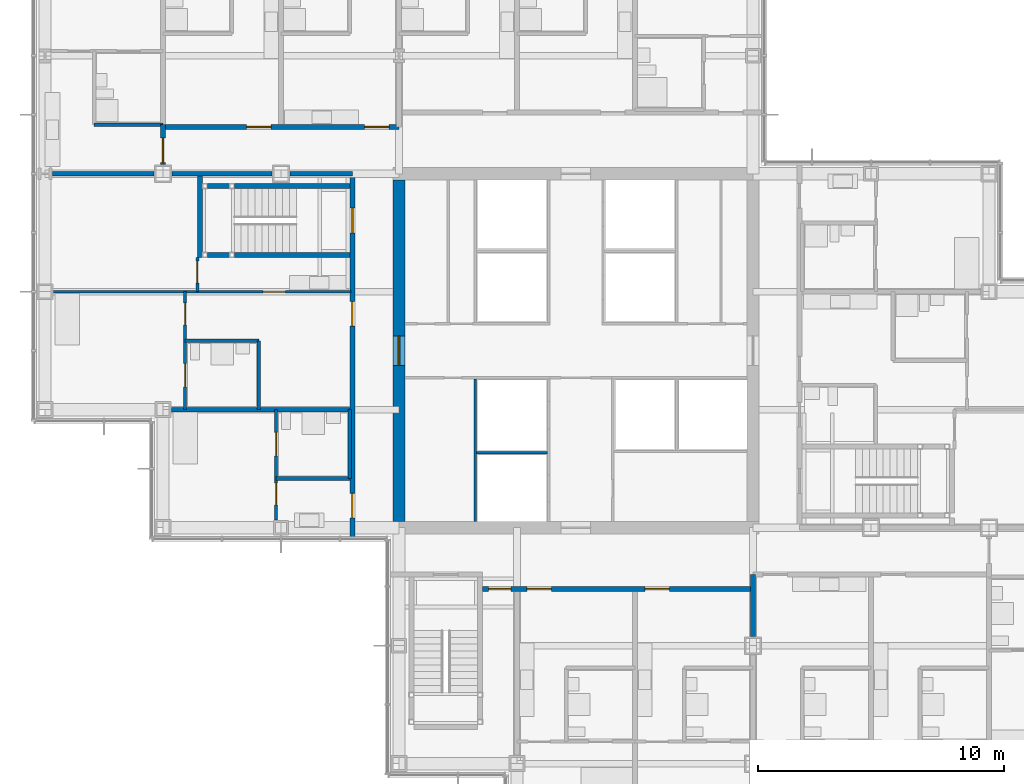
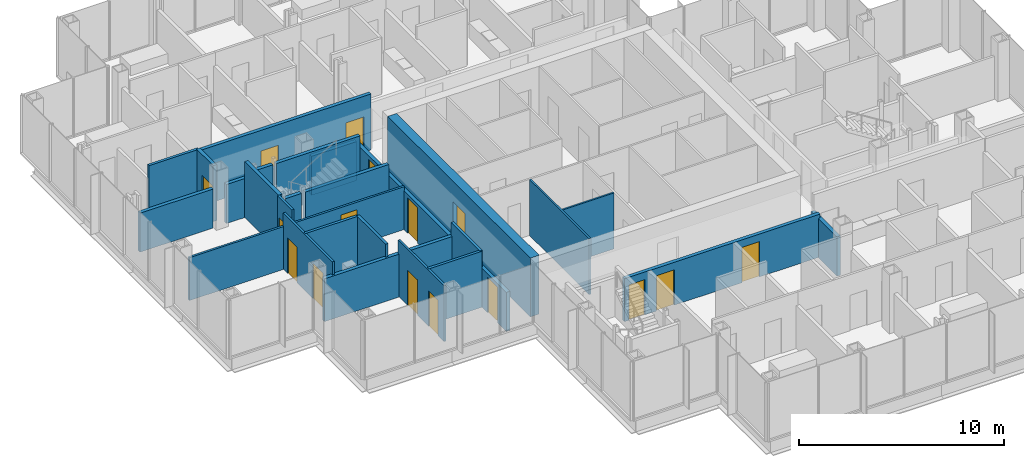
# One storey, part 13 of 19: 27 walls, 16 doors, 16 openings.
"""IFC4 building model written with IfcOpenShell, lengths in metres."""

from ifc_helpers import new_model, si_unit, direction, frame, frame_2d, origin, place, context, subcontext, project, spatial, rectangle, extrude, material, layer, layer_set, type_object, element, fill, save


model = new_model("IFC4")

# Units and contexts
model_context = context("Model", 3, precision=1e-05, world=origin(), true_north=direction((0.0, 1.0)))
body_context = subcontext(model_context, "Body", "Model", "MODEL_VIEW")
ifc_project = project(units=[si_unit("LENGTHUNIT", "METRE"), si_unit("AREAUNIT", "SQUARE_METRE"), si_unit("VOLUMEUNIT", "CUBIC_METRE"), si_unit("PLANEANGLEUNIT", "RADIAN"), si_unit("MASSUNIT", "GRAM", prefix="KILO")], contexts=[model_context])

# Site, building, storey
site_placement = place(None, origin())
site = spatial("IfcSite", under=ifc_project, at=site_placement, CompositionType="ELEMENT")
building_placement = place(site_placement, origin())
building = spatial("IfcBuilding", under=site, at=building_placement, Name="Kvirike Care Tower", CompositionType="ELEMENT")
storey_placement = place(building_placement, frame((0.0, 0.0, 87.5)))
storey = spatial("IfcBuildingStorey", under=building, at=storey_placement, Name="L23", CompositionType="ELEMENT", Elevation=87.5)

# Walls
ifc_material_1 = material(Name="Moisture-resistant board partition", Category="gypsum")
ifc_layer_1 = layer(ifc_material_1, 0.14990234375)
ifc_layer_set_1 = layer_set([ifc_layer_1], Name="BATHROOM WALL 150")
wall_type_1 = type_object("IfcWallType", Name="BATHROOM WALL 150", PredefinedType="PARTITIONING", material=ifc_layer_set_1)
wall_1_placement = place(storey_placement, frame((5.699951171875, 36.39990234375, 0.0), z_axis=(0.0, 0.0, 1.0), x_axis=(1.0, 0.0, 0.0)))
element("IfcWall", 1, at=wall_1_placement, inside=storey, type_object=wall_type_1, Name="Bathroom Wall 150 L23", PredefinedType="PARTITIONING", context=body_context, shape_type="SweptSolid", body=[
    extrude(rectangle(XDim=3.0, YDim=0.14990234375, at=frame_2d((1.5, 0.0))), origin(), (0.0, 0.0, 1.0), 3.330078125),
])
wall_2_placement = place(storey_placement, frame((8.699951171875, 36.39990234375, 0.0), z_axis=(0.0, 0.0, 1.0), x_axis=(0.0, -1.0, 0.0)))
element("IfcWall", 2, at=wall_2_placement, inside=storey, type_object=wall_type_1, Name="Bathroom Wall 150 L23", PredefinedType="PARTITIONING", context=body_context, shape_type="SweptSolid", body=[
    extrude(rectangle(XDim=2.7998046875, YDim=0.14990234375, at=frame_2d((1.39990234375, 0.0))), origin(), (0.0, 0.0, 1.0), 3.330078125),
])
wall_3_placement = place(storey_placement, frame((9.39990234375, 30.800048828125, 0.0), z_axis=(0.0, 0.0, 1.0), x_axis=(1.0, 0.0, 0.0)))
element("IfcWall", 3, at=wall_3_placement, inside=storey, type_object=wall_type_1, Name="Bathroom Wall 150 L23", PredefinedType="PARTITIONING", context=body_context, shape_type="SweptSolid", body=[
    extrude(rectangle(XDim=3.0, YDim=0.14990234375, at=frame_2d((1.5, 0.0))), origin(), (0.0, 0.0, 1.0), 3.330078125),
])
for number, where, z_axis, x_axis, name in (
    (4, (12.39990234375, 33.60009765625, 0.0), (0.0, 0.0, 1.0), (0.0, -1.0, 0.0), "Bathroom Wall 150 L23"),
    (5, (4.800048828125, 45.199951171875, 0.0), (0.0, 0.0, 1.0), (-1.0, 0.0, 0.0), "Bathroom Wall 150 L23"),
):
    element("IfcWall", number, at=place(storey_placement, frame(where, z_axis=z_axis, x_axis=x_axis)), inside=storey, type_object=wall_type_1, Name=name, PredefinedType="PARTITIONING", context=body_context, shape_type="SweptSolid", body=[
        extrude(rectangle(XDim=2.800048828125, YDim=0.14990234375, at=frame_2d((1.39990234375, 0.0))), origin(), (0.0, 0.0, 1.0), 3.330078125),
    ])

# Wall, opening, door
ifc_material_2 = material(Name="Concrete C50/60", Category="concrete")
ifc_layer_2 = layer(ifc_material_2, 0.5)
ifc_layer_set_2 = layer_set([ifc_layer_2], Name="CORE WALL 500 C50-60")
wall_type_2 = type_object("IfcWallType", Name="CORE WALL 500 C50-60", PredefinedType="SHEAR", material=ifc_layer_set_2)
wall_4_placement = place(storey_placement, frame((14.39990234375, 42.949951171875, -0.169921875), z_axis=(0.0, 0.0, 1.0), x_axis=(0.0, -1.0, 0.0)))
wall_4 = element("IfcWall", 6, at=wall_4_placement, inside=storey, type_object=wall_type_2, Name="Core wall W L23", PredefinedType="SHEAR", context=body_context, shape_type="SweptSolid", body=[
    extrude(rectangle(XDim=13.89990234375, YDim=0.5, at=frame_2d((6.949951171875, 0.0))), origin(), (0.0, 0.0, 1.0), 3.5),
])
opening_1_placement = place(wall_4_placement, frame((6.35009765625, 0.0, 0.169921875)))
opening_1 = element("IfcOpeningElement", 7, at=opening_1_placement, cuts=wall_4, Name="Opening 23-066", PredefinedType="OPENING", context=body_context, shape_type="SweptSolid", body=[
    extrude(rectangle(XDim=1.199951171875, YDim=2.10009765625, at=frame_2d((0.60009765625, 1.050048828125))), frame((0.0, 0.260498046875, 0.0), z_axis=(0.0, -1.0, 0.0), x_axis=(1.0, 0.0, 0.0)), (0.0, 0.0, 1.0), 0.52099609375),
])
ifc_material_3 = material(Name="Timber door set", Category="wood")
door_type_1 = type_object("IfcDoorType", Name="CORE DOOR 1200", OperationType="SINGLE_SWING_LEFT", PredefinedType="DOOR", material=ifc_material_3)
door_1_placement = place(opening_1_placement, origin())
door_1 = element("IfcDoor", 8, at=door_1_placement, inside=storey, type_object=door_type_1, Name="Core door W L23", OperationType="SINGLE_SWING_LEFT", OverallHeight=2.10009765625, OverallWidth=1.199951171875, PredefinedType="DOOR", context=body_context, shape_type="SweptSolid", body=[
    extrude(rectangle(XDim=1.199951171875, YDim=2.10009765625, at=frame_2d((0.60009765625, 1.050048828125))), frame((0.0, 0.02685546875, 0.0), z_axis=(0.0, -1.0, 0.0), x_axis=(1.0, 0.0, 0.0)), (0.0, 0.0, 1.0), 0.053955078125),
])
fill(opening_1, door_1)

# Wall, openings, doors
ifc_material_4 = material(Name="Plasterboard corridor wall", Category="gypsum")
ifc_layer_3 = layer(ifc_material_4, 0.199951171875)
ifc_layer_set_3 = layer_set([ifc_layer_3], Name="CORRIDOR WALL 200")
wall_type_3 = type_object("IfcWallType", Name="CORRIDOR WALL 200", PredefinedType="PARTITIONING", material=ifc_layer_set_3)
wall_5_placement = place(storey_placement, frame((12.5, 43.199951171875, 0.0), z_axis=(0.0, 0.0, 1.0), x_axis=(0.0, -1.0, 0.0)))
wall_5 = element("IfcWall", 9, at=wall_5_placement, inside=storey, type_object=wall_type_3, Name="Corridor Wall 200 L23", PredefinedType="PARTITIONING", context=body_context, shape_type="SweptSolid", body=[
    extrude(rectangle(XDim=14.83984375, YDim=0.199951171875, at=frame_2d((7.419921875, 0.0))), origin(), (0.0, 0.0, 1.0), 2.320068359375),
])
opening_2_placement = place(wall_5_placement, frame((1.39990234375, 0.0, 0.0)))
opening_2 = element("IfcOpeningElement", 10, at=opening_2_placement, cuts=wall_5, Name="Opening 23-007", PredefinedType="OPENING", context=body_context, shape_type="SweptSolid", body=[
    extrude(rectangle(XDim=1.0, YDim=2.10009765625, at=frame_2d((0.5, 1.050048828125))), frame((0.0, 0.110595703125, 0.0), z_axis=(0.0, -1.0, 0.0), x_axis=(1.0, 0.0, 0.0)), (0.0, 0.0, 1.0), 0.220947265625),
])
opening_3_placement = place(wall_5_placement, frame((5.199951171875, 0.0, 0.0)))
opening_3 = element("IfcOpeningElement", 11, at=opening_3_placement, cuts=wall_5, Name="Opening 23-008", PredefinedType="OPENING", context=body_context, shape_type="SweptSolid", body=[
    extrude(rectangle(XDim=1.0, YDim=2.10009765625, at=frame_2d((0.5, 1.050048828125))), frame((0.0, 0.110595703125, 0.0), z_axis=(0.0, -1.0, 0.0), x_axis=(1.0, 0.0, 0.0)), (0.0, 0.0, 1.0), 0.220947265625),
])
opening_4_placement = place(wall_5_placement, frame((13.0, 0.0, 0.0)))
opening_4 = element("IfcOpeningElement", 12, at=opening_4_placement, cuts=wall_5, Name="Opening 23-009", PredefinedType="OPENING", context=body_context, shape_type="SweptSolid", body=[
    extrude(rectangle(XDim=1.0, YDim=2.10009765625, at=frame_2d((0.5, 1.050048828125))), frame((0.0, 0.110595703125, 0.0), z_axis=(0.0, -1.0, 0.0), x_axis=(1.0, 0.0, 0.0)), (0.0, 0.0, 1.0), 0.220947265625),
])
ifc_material_5 = material(Name="Timber door set", Category="wood")
door_type_2 = type_object("IfcDoorType", Name="FLAT ENTRANCE DOOR 1000", OperationType="SINGLE_SWING_LEFT", PredefinedType="DOOR", material=ifc_material_5)
door_2_placement = place(opening_3_placement, frame((1.0, 0.0, 0.0), z_axis=(0.0, 0.0, 1.0), x_axis=(-1.0, 0.0, 0.0)))
door_2 = element("IfcDoor", 13, at=door_2_placement, inside=storey, type_object=door_type_2, Name="Assisted living suite entrance", OperationType="SINGLE_SWING_LEFT", OverallHeight=2.10009765625, OverallWidth=1.0, PredefinedType="DOOR", context=body_context, shape_type="SweptSolid", body=[
    extrude(rectangle(XDim=1.0, YDim=2.10009765625, at=frame_2d((0.5, 1.050048828125))), frame((0.0, 0.02685546875, 0.0), z_axis=(0.0, -1.0, 0.0), x_axis=(1.0, 0.0, 0.0)), (0.0, 0.0, 1.0), 0.053955078125),
])
fill(opening_3, door_2)
door_3_placement = place(opening_4_placement, frame((1.0, 0.0, 0.0), z_axis=(0.0, 0.0, 1.0), x_axis=(-1.0, 0.0, 0.0)))
door_3 = element("IfcDoor", 14, at=door_3_placement, inside=storey, type_object=door_type_2, Name="Assisted living suite entrance", OperationType="SINGLE_SWING_RIGHT", OverallHeight=2.10009765625, OverallWidth=1.0, PredefinedType="DOOR", context=body_context, shape_type="SweptSolid", body=[
    extrude(rectangle(XDim=1.0, YDim=2.10009765625, at=frame_2d((0.5, 1.050048828125))), frame((0.0, 0.02685546875, 0.0), z_axis=(0.0, -1.0, 0.0), x_axis=(1.0, 0.0, 0.0)), (0.0, 0.0, 1.0), 0.053955078125),
])
fill(opening_4, door_3)
ifc_material_6 = material(Name="Timber door set", Category="wood")
door_type_3 = type_object("IfcDoorType", Name="STAIR DOOR 1000", OperationType="SINGLE_SWING_LEFT", PredefinedType="DOOR", material=ifc_material_6)
door_4_placement = place(opening_2_placement, frame((1.0, 0.0, 0.0), z_axis=(0.0, 0.0, 1.0), x_axis=(-1.0, 0.0, 0.0)))
door_4 = element("IfcDoor", 15, at=door_4_placement, inside=storey, type_object=door_type_3, Name="Stair 1 door", OperationType="SINGLE_SWING_LEFT", OverallHeight=2.10009765625, OverallWidth=1.0, PredefinedType="DOOR", context=body_context, shape_type="SweptSolid", body=[
    extrude(rectangle(XDim=1.0, YDim=2.10009765625, at=frame_2d((0.5, 1.050048828125))), frame((0.0, 0.031982421875, 0.0), z_axis=(0.0, -1.0, 0.0), x_axis=(1.0, 0.0, 0.0)), (0.0, 0.0, 1.0), 0.06396484375),
])
fill(opening_2, door_4)

wall_6_placement = place(storey_placement, frame((14.39990234375, 45.10009765625, 0.0), z_axis=(0.0, 0.0, 1.0), x_axis=(-1.0, 0.0, 0.0)))
wall_6 = element("IfcWall", 16, at=wall_6_placement, inside=storey, type_object=wall_type_3, Name="Corridor Wall 200 L23", PredefinedType="PARTITIONING", context=body_context, shape_type="SweptSolid", body=[
    extrude(rectangle(XDim=9.599853515625, YDim=0.199951171875, at=frame_2d((4.7998046875, 0.0))), origin(), (0.0, 0.0, 1.0), 3.330078125),
])
opening_5_placement = place(wall_6_placement, frame((0.39990234375, 0.0, 0.0)))
opening_5 = element("IfcOpeningElement", 17, at=opening_5_placement, cuts=wall_6, Name="Opening 23-016", PredefinedType="OPENING", context=body_context, shape_type="SweptSolid", body=[
    extrude(rectangle(XDim=1.0, YDim=2.10009765625, at=frame_2d((0.5, 1.050048828125))), frame((0.0, 0.110595703125, 0.0), z_axis=(0.0, -1.0, 0.0), x_axis=(1.0, 0.0, 0.0)), (0.0, 0.0, 1.0), 0.220947265625),
])
opening_6_placement = place(wall_6_placement, frame((5.199951171875, 0.0, 0.0)))
opening_6 = element("IfcOpeningElement", 18, at=opening_6_placement, cuts=wall_6, Name="Opening 23-017", PredefinedType="OPENING", context=body_context, shape_type="SweptSolid", body=[
    extrude(rectangle(XDim=1.0, YDim=2.10009765625, at=frame_2d((0.5, 1.050048828125))), frame((0.0, 0.110595703125, 0.0), z_axis=(0.0, -1.0, 0.0), x_axis=(1.0, 0.0, 0.0)), (0.0, 0.0, 1.0), 0.220947265625),
])
door_5_placement = place(opening_5_placement, frame((1.0, 0.0, 0.0), z_axis=(0.0, 0.0, 1.0), x_axis=(-1.0, 0.0, 0.0)))
door_5 = element("IfcDoor", 19, at=door_5_placement, inside=storey, type_object=door_type_2, Name="Assisted living suite entrance", OperationType="SINGLE_SWING_LEFT", OverallHeight=2.10009765625, OverallWidth=1.0, PredefinedType="DOOR", context=body_context, shape_type="SweptSolid", body=[
    extrude(rectangle(XDim=1.0, YDim=2.10009765625, at=frame_2d((0.5, 1.050048828125))), frame((0.0, 0.02685546875, 0.0), z_axis=(0.0, -1.0, 0.0), x_axis=(1.0, 0.0, 0.0)), (0.0, 0.0, 1.0), 0.053955078125),
])
fill(opening_5, door_5)
door_6_placement = place(opening_6_placement, frame((1.0, 0.0, 0.0), z_axis=(0.0, 0.0, 1.0), x_axis=(-1.0, 0.0, 0.0)))
door_6 = element("IfcDoor", 20, at=door_6_placement, inside=storey, type_object=door_type_2, Name="Assisted living suite entrance", OperationType="SINGLE_SWING_LEFT", OverallHeight=2.10009765625, OverallWidth=1.0, PredefinedType="DOOR", context=body_context, shape_type="SweptSolid", body=[
    extrude(rectangle(XDim=1.0, YDim=2.10009765625, at=frame_2d((0.5, 1.050048828125))), frame((0.0, 0.02685546875, 0.0), z_axis=(0.0, -1.0, 0.0), x_axis=(1.0, 0.0, 0.0)), (0.0, 0.0, 1.0), 0.053955078125),
])
fill(opening_6, door_6)

# Wall, opening, door
wall_7_placement = place(storey_placement, frame((4.800048828125, 45.199951171875, 0.0), z_axis=(0.0, 0.0, 1.0), x_axis=(0.0, -1.0, 0.0)))
wall_7 = element("IfcWall", 21, at=wall_7_placement, inside=storey, type_object=wall_type_3, Name="Corridor Wall 200 L23", PredefinedType="PARTITIONING", context=body_context, shape_type="SweptSolid", body=[
    extrude(rectangle(XDim=1.6298828125, YDim=0.199951171875, at=frame_2d((0.81494140625, 0.0))), origin(), (0.0, 0.0, 1.0), 3.330078125),
])
opening_7_placement = place(wall_7_placement, frame((0.550048828125, 0.0, 0.0)))
opening_7 = element("IfcOpeningElement", 22, at=opening_7_placement, cuts=wall_7, Name="Opening 23-018", PredefinedType="OPENING", context=body_context, shape_type="SweptSolid", body=[
    extrude(rectangle(XDim=1.0, YDim=2.10009765625, at=frame_2d((0.5, 1.050048828125))), frame((0.0, 0.110595703125, 0.0), z_axis=(0.0, -1.0, 0.0), x_axis=(1.0, 0.0, 0.0)), (0.0, 0.0, 1.0), 0.220947265625),
])
door_7_placement = place(opening_7_placement, frame((1.0, 0.0, 0.0), z_axis=(0.0, 0.0, 1.0), x_axis=(-1.0, 0.0, 0.0)))
door_7 = element("IfcDoor", 23, at=door_7_placement, inside=storey, type_object=door_type_2, Name="Assisted living suite entrance", OperationType="SINGLE_SWING_RIGHT", OverallHeight=2.10009765625, OverallWidth=1.0, PredefinedType="DOOR", context=body_context, shape_type="SweptSolid", body=[
    extrude(rectangle(XDim=1.0, YDim=2.10009765625, at=frame_2d((0.5, 1.050048828125))), frame((0.0, 0.02685546875, 0.0), z_axis=(0.0, -1.0, 0.0), x_axis=(1.0, 0.0, 0.0)), (0.0, 0.0, 1.0), 0.053955078125),
])
fill(opening_7, door_7)

# Wall, openings, doors
wall_8_placement = place(storey_placement, frame((17.800048828125, 26.300048828125, 0.0), z_axis=(0.0, 0.0, 1.0), x_axis=(1.0, 0.0, 0.0)))
wall_8 = element("IfcWall", 24, at=wall_8_placement, inside=storey, type_object=wall_type_3, Name="Corridor Wall 200 L23", PredefinedType="PARTITIONING", context=body_context, shape_type="SweptSolid", body=[
    extrude(rectangle(XDim=11.0, YDim=0.199951171875, at=frame_2d((5.5, 0.0))), origin(), (0.0, 0.0, 1.0), 2.550048828125),
])
opening_8_placement = place(wall_8_placement, frame((0.25, 0.0, 0.0)))
opening_8 = element("IfcOpeningElement", 25, at=opening_8_placement, cuts=wall_8, Name="Opening 23-024", PredefinedType="OPENING", context=body_context, shape_type="SweptSolid", body=[
    extrude(rectangle(XDim=0.89990234375, YDim=2.10009765625, at=frame_2d((0.449951171875, 1.050048828125))), frame((0.0, 0.110595703125, 0.0), z_axis=(0.0, -1.0, 0.0), x_axis=(1.0, 0.0, 0.0)), (0.0, 0.0, 1.0), 0.220947265625),
])
opening_9_placement = place(wall_8_placement, frame((1.800048828125, 0.0, 0.0)))
opening_9 = element("IfcOpeningElement", 26, at=opening_9_placement, cuts=wall_8, Name="Opening 23-025", PredefinedType="OPENING", context=body_context, shape_type="SweptSolid", body=[
    extrude(rectangle(XDim=1.0, YDim=2.10009765625, at=frame_2d((0.5, 1.050048828125))), frame((0.0, 0.110595703125, 0.0), z_axis=(0.0, -1.0, 0.0), x_axis=(1.0, 0.0, 0.0)), (0.0, 0.0, 1.0), 0.220947265625),
])
opening_10_placement = place(wall_8_placement, frame((6.60009765625, 0.0, 0.0)))
opening_10 = element("IfcOpeningElement", 27, at=opening_10_placement, cuts=wall_8, Name="Opening 23-026", PredefinedType="OPENING", context=body_context, shape_type="SweptSolid", body=[
    extrude(rectangle(XDim=1.0, YDim=2.10009765625, at=frame_2d((0.5, 1.050048828125))), frame((0.0, 0.110595703125, 0.0), z_axis=(0.0, -1.0, 0.0), x_axis=(1.0, 0.0, 0.0)), (0.0, 0.0, 1.0), 0.220947265625),
])
door_8_placement = place(opening_9_placement, frame((1.0, 0.0, 0.0), z_axis=(0.0, 0.0, 1.0), x_axis=(-1.0, 0.0, 0.0)))
door_8 = element("IfcDoor", 28, at=door_8_placement, inside=storey, type_object=door_type_2, Name="Assisted living suite entrance", OperationType="SINGLE_SWING_LEFT", OverallHeight=2.10009765625, OverallWidth=1.0, PredefinedType="DOOR", context=body_context, shape_type="SweptSolid", body=[
    extrude(rectangle(XDim=1.0, YDim=2.10009765625, at=frame_2d((0.5, 1.050048828125))), frame((0.0, 0.02685546875, 0.0), z_axis=(0.0, -1.0, 0.0), x_axis=(1.0, 0.0, 0.0)), (0.0, 0.0, 1.0), 0.053955078125),
])
fill(opening_9, door_8)
door_9_placement = place(opening_10_placement, frame((1.0, 0.0, 0.0), z_axis=(0.0, 0.0, 1.0), x_axis=(-1.0, 0.0, 0.0)))
door_9 = element("IfcDoor", 29, at=door_9_placement, inside=storey, type_object=door_type_2, Name="Assisted living suite entrance", OperationType="SINGLE_SWING_RIGHT", OverallHeight=2.10009765625, OverallWidth=1.0, PredefinedType="DOOR", context=body_context, shape_type="SweptSolid", body=[
    extrude(rectangle(XDim=1.0, YDim=2.10009765625, at=frame_2d((0.5, 1.050048828125))), frame((0.0, 0.02685546875, 0.0), z_axis=(0.0, -1.0, 0.0), x_axis=(1.0, 0.0, 0.0)), (0.0, 0.0, 1.0), 0.053955078125),
])
fill(opening_10, door_9)
ifc_material_7 = material(Name="Timber door set", Category="wood")
door_type_4 = type_object("IfcDoorType", Name="STORE DOOR 900", OperationType="SINGLE_SWING_LEFT", PredefinedType="DOOR", material=ifc_material_7)
door_10_placement = place(opening_8_placement, frame((0.89990234375, 0.0, 0.0), z_axis=(0.0, 0.0, 1.0), x_axis=(-1.0, 0.0, 0.0)))
door_10 = element("IfcDoor", 30, at=door_10_placement, inside=storey, type_object=door_type_4, Name="Housekeeping room door", OperationType="SINGLE_SWING_LEFT", OverallHeight=2.10009765625, OverallWidth=0.89990234375, PredefinedType="DOOR", context=body_context, shape_type="SweptSolid", body=[
    extrude(rectangle(XDim=0.89990234375, YDim=2.10009765625, at=frame_2d((0.449951171875, 1.050048828125))), frame((0.0, 0.02685546875, 0.0), z_axis=(0.0, -1.0, 0.0), x_axis=(1.0, 0.0, 0.0)), (0.0, 0.0, 1.0), 0.053955078125),
])
fill(opening_8, door_10)

# Wall, opening, door
ifc_material_8 = material(Name="Plasterboard partition", Category="gypsum")
ifc_layer_4 = layer(ifc_material_8, 0.1201171875)
ifc_layer_set_4 = layer_set([ifc_layer_4], Name="PARTITION 120")
wall_type_4 = type_object("IfcWallType", Name="PARTITION 120", PredefinedType="PARTITIONING", material=ifc_layer_set_4)
wall_9_placement = place(storey_placement, frame((6.199951171875, 38.39990234375, 0.0), z_axis=(0.0, 0.0, 1.0), x_axis=(1.0, 0.0, 0.0)))
wall_9 = element("IfcWall", 31, at=wall_9_placement, inside=storey, type_object=wall_type_4, Name="Partition 120 L23", PredefinedType="PARTITIONING", context=body_context, shape_type="SweptSolid", body=[
    extrude(rectangle(XDim=6.25, YDim=0.1201171875, at=frame_2d((3.125, 0.0))), origin(), (0.0, 0.0, 1.0), 2.550048828125),
])
opening_11_placement = place(wall_9_placement, frame((2.675048828125, 0.0, 0.0)))
opening_11 = element("IfcOpeningElement", 32, at=opening_11_placement, cuts=wall_9, Name="Opening 23-001", PredefinedType="OPENING", context=body_context, shape_type="SweptSolid", body=[
    extrude(rectangle(XDim=0.89990234375, YDim=2.10009765625, at=frame_2d((0.449951171875, 1.050048828125))), frame((0.0, 0.070556640625, 0.0), z_axis=(0.0, -1.0, 0.0), x_axis=(1.0, 0.0, 0.0)), (0.0, 0.0, 1.0), 0.14111328125),
])
ifc_material_9 = material(Name="Timber door set", Category="wood")
door_type_5 = type_object("IfcDoorType", Name="INTERNAL DOOR 900", OperationType="SINGLE_SWING_LEFT", PredefinedType="DOOR", material=ifc_material_9)
door_11_placement = place(opening_11_placement, origin())
door_11 = element("IfcDoor", 33, at=door_11_placement, inside=storey, type_object=door_type_5, Name="Hall door", OperationType="SINGLE_SWING_LEFT", OverallHeight=2.10009765625, OverallWidth=0.89990234375, PredefinedType="DOOR", context=body_context, shape_type="SweptSolid", body=[
    extrude(rectangle(XDim=0.89990234375, YDim=2.10009765625, at=frame_2d((0.449951171875, 1.050048828125))), frame((0.0, 0.02197265625, 0.0), z_axis=(0.0, -1.0, 0.0), x_axis=(1.0, 0.0, 0.0)), (0.0, 0.0, 1.0), 0.0439453125),
])
fill(opening_11, door_11)

wall_10_placement = place(storey_placement, frame((6.199951171875, 39.800048828125, 0.0), z_axis=(0.0, 0.0, 1.0), x_axis=(0.0, -1.0, 0.0)))
wall_10 = element("IfcWall", 34, at=wall_10_placement, inside=storey, type_object=wall_type_4, Name="Partition 120 L23", PredefinedType="PARTITIONING", context=body_context, shape_type="SweptSolid", body=[
    extrude(rectangle(XDim=1.400146484375, YDim=0.1201171875, at=frame_2d((0.7001953125, 0.0))), origin(), (0.0, 0.0, 1.0), 3.330078125),
])
opening_12_placement = place(wall_10_placement, frame((0.14990234375, 0.0, 0.0)))
opening_12 = element("IfcOpeningElement", 35, at=opening_12_placement, cuts=wall_10, Name="Opening 23-002", PredefinedType="OPENING", context=body_context, shape_type="SweptSolid", body=[
    extrude(rectangle(XDim=0.89990234375, YDim=2.10009765625, at=frame_2d((0.449951171875, 1.050048828125))), frame((0.0, 0.070556640625, 0.0), z_axis=(0.0, -1.0, 0.0), x_axis=(1.0, 0.0, 0.0)), (0.0, 0.0, 1.0), 0.14111328125),
])
door_12_placement = place(opening_12_placement, origin())
door_12 = element("IfcDoor", 36, at=door_12_placement, inside=storey, type_object=door_type_5, Name="Suite sitting room door", OperationType="SINGLE_SWING_RIGHT", OverallHeight=2.10009765625, OverallWidth=0.89990234375, PredefinedType="DOOR", context=body_context, shape_type="SweptSolid", body=[
    extrude(rectangle(XDim=0.89990234375, YDim=2.10009765625, at=frame_2d((0.449951171875, 1.050048828125))), frame((0.0, 0.02197265625, 0.0), z_axis=(0.0, -1.0, 0.0), x_axis=(1.0, 0.0, 0.0)), (0.0, 0.0, 1.0), 0.0439453125),
])
fill(opening_12, door_12)

# Wall, openings, doors
wall_11_placement = place(storey_placement, frame((5.699951171875, 38.39990234375, 0.0), z_axis=(0.0, 0.0, 1.0), x_axis=(0.0, -1.0, 0.0)))
wall_11 = element("IfcWall", 37, at=wall_11_placement, inside=storey, type_object=wall_type_4, Name="Partition 120 L23", PredefinedType="PARTITIONING", context=body_context, shape_type="SweptSolid", body=[
    extrude(rectangle(XDim=4.7998046875, YDim=0.1201171875, at=frame_2d((2.39990234375, 0.0))), origin(), (0.0, 0.0, 1.0), 3.330078125),
])
opening_13_placement = place(wall_11_placement, frame((0.449951171875, 0.0, 0.0)))
opening_13 = element("IfcOpeningElement", 38, at=opening_13_placement, cuts=wall_11, Name="Opening 23-003", PredefinedType="OPENING", context=body_context, shape_type="SweptSolid", body=[
    extrude(rectangle(XDim=0.89990234375, YDim=2.10009765625, at=frame_2d((0.449951171875, 1.050048828125))), frame((0.0, 0.070556640625, 0.0), z_axis=(0.0, -1.0, 0.0), x_axis=(1.0, 0.0, 0.0)), (0.0, 0.0, 1.0), 0.14111328125),
])
opening_14_placement = place(wall_11_placement, frame((2.925048828125, 0.0, 0.0)))
opening_14 = element("IfcOpeningElement", 39, at=opening_14_placement, cuts=wall_11, Name="Opening 23-004", PredefinedType="OPENING", context=body_context, shape_type="SweptSolid", body=[
    extrude(rectangle(XDim=0.949951171875, YDim=2.10009765625, at=frame_2d((0.47509765625, 1.050048828125))), frame((0.0, 0.070556640625, 0.0), z_axis=(0.0, -1.0, 0.0), x_axis=(1.0, 0.0, 0.0)), (0.0, 0.0, 1.0), 0.14111328125),
])
ifc_material_10 = material(Name="Timber door set", Category="wood")
door_type_6 = type_object("IfcDoorType", Name="EN-SUITE SLIDING DOOR 950", OperationType="SLIDING_TO_LEFT", PredefinedType="DOOR", material=ifc_material_10)
door_13_placement = place(opening_14_placement, origin())
door_13 = element("IfcDoor", 40, at=door_13_placement, inside=storey, type_object=door_type_6, Name="En-suite door", OperationType="SLIDING_TO_LEFT", OverallHeight=2.10009765625, OverallWidth=0.949951171875, PredefinedType="DOOR", context=body_context, shape_type="SweptSolid", body=[
    extrude(rectangle(XDim=0.949951171875, YDim=2.10009765625, at=frame_2d((0.47509765625, 1.050048828125))), frame((0.0, 0.02197265625, 0.0), z_axis=(0.0, -1.0, 0.0), x_axis=(1.0, 0.0, 0.0)), (0.0, 0.0, 1.0), 0.0439453125),
])
fill(opening_14, door_13)
door_14_placement = place(opening_13_placement, origin())
door_14 = element("IfcDoor", 41, at=door_14_placement, inside=storey, type_object=door_type_5, Name="Assisted living suite door", OperationType="SINGLE_SWING_RIGHT", OverallHeight=2.10009765625, OverallWidth=0.89990234375, PredefinedType="DOOR", context=body_context, shape_type="SweptSolid", body=[
    extrude(rectangle(XDim=0.89990234375, YDim=2.10009765625, at=frame_2d((0.449951171875, 1.050048828125))), frame((0.0, 0.02197265625, 0.0), z_axis=(0.0, -1.0, 0.0), x_axis=(1.0, 0.0, 0.0)), (0.0, 0.0, 1.0), 0.0439453125),
])
fill(opening_13, door_14)

# Wall
wall_12_placement = place(storey_placement, frame((0.344970703125, 38.39990234375, 0.0), z_axis=(0.0, 0.0, 1.0), x_axis=(1.0, 0.0, 0.0)))
element("IfcWall", 42, at=wall_12_placement, inside=storey, type_object=wall_type_4, Name="Partition 120 L23", PredefinedType="PARTITIONING", context=body_context, shape_type="SweptSolid", body=[
    extrude(rectangle(XDim=5.85498046875, YDim=0.1201171875, at=frame_2d((2.927490234375, 0.0))), origin(), (0.0, 0.0, 1.0), 2.550048828125),
])

# Wall, openings, doors
wall_13_placement = place(storey_placement, frame((9.39990234375, 33.60009765625, 0.0), z_axis=(0.0, 0.0, 1.0), x_axis=(0.0, -1.0, 0.0)))
wall_13 = element("IfcWall", 43, at=wall_13_placement, inside=storey, type_object=wall_type_4, Name="Partition 120 L23", PredefinedType="PARTITIONING", context=body_context, shape_type="SweptSolid", body=[
    extrude(rectangle(XDim=4.47998046875, YDim=0.1201171875, at=frame_2d((2.239990234375, 0.0))), origin(), (0.0, 0.0, 1.0), 3.330078125),
])
opening_15_placement = place(wall_13_placement, frame((2.97509765625, 0.0, 0.0)))
opening_15 = element("IfcOpeningElement", 44, at=opening_15_placement, cuts=wall_13, Name="Opening 23-005", PredefinedType="OPENING", context=body_context, shape_type="SweptSolid", body=[
    extrude(rectangle(XDim=0.89990234375, YDim=2.10009765625, at=frame_2d((0.449951171875, 1.050048828125))), frame((0.0, 0.070556640625, 0.0), z_axis=(0.0, -1.0, 0.0), x_axis=(1.0, 0.0, 0.0)), (0.0, 0.0, 1.0), 0.14111328125),
])
opening_16_placement = place(wall_13_placement, frame((0.925048828125, 0.0, 0.0)))
opening_16 = element("IfcOpeningElement", 45, at=opening_16_placement, cuts=wall_13, Name="Opening 23-006", PredefinedType="OPENING", context=body_context, shape_type="SweptSolid", body=[
    extrude(rectangle(XDim=0.949951171875, YDim=2.10009765625, at=frame_2d((0.47509765625, 1.050048828125))), frame((0.0, 0.070556640625, 0.0), z_axis=(0.0, -1.0, 0.0), x_axis=(1.0, 0.0, 0.0)), (0.0, 0.0, 1.0), 0.14111328125),
])
door_15_placement = place(opening_16_placement, origin())
door_15 = element("IfcDoor", 46, at=door_15_placement, inside=storey, type_object=door_type_6, Name="En-suite door", OperationType="SLIDING_TO_RIGHT", OverallHeight=2.10009765625, OverallWidth=0.949951171875, PredefinedType="DOOR", context=body_context, shape_type="SweptSolid", body=[
    extrude(rectangle(XDim=0.949951171875, YDim=2.10009765625, at=frame_2d((0.47509765625, 1.050048828125))), frame((0.0, 0.02197265625, 0.0), z_axis=(0.0, -1.0, 0.0), x_axis=(1.0, 0.0, 0.0)), (0.0, 0.0, 1.0), 0.0439453125),
])
fill(opening_16, door_15)
door_16_placement = place(opening_15_placement, origin())
door_16 = element("IfcDoor", 47, at=door_16_placement, inside=storey, type_object=door_type_5, Name="Assisted living suite door", OperationType="SINGLE_SWING_RIGHT", OverallHeight=2.10009765625, OverallWidth=0.89990234375, PredefinedType="DOOR", context=body_context, shape_type="SweptSolid", body=[
    extrude(rectangle(XDim=0.89990234375, YDim=2.10009765625, at=frame_2d((0.449951171875, 1.050048828125))), frame((0.0, 0.02197265625, 0.0), z_axis=(0.0, -1.0, 0.0), x_axis=(1.0, 0.0, 0.0)), (0.0, 0.0, 1.0), 0.0439453125),
])
fill(opening_15, door_16)

# Walls
ifc_material_11 = material(Name="Plasterboard party wall", Category="gypsum")
ifc_layer_5 = layer(ifc_material_11, 0.199951171875)
ifc_layer_set_5 = layer_set([ifc_layer_5], Name="PARTY WALL 200")
wall_type_5 = type_object("IfcWallType", Name="PARTY WALL 200", PredefinedType="PARTITIONING", material=ifc_layer_set_5)
wall_14_placement = place(storey_placement, frame((5.14501953125, 33.60009765625, 0.0), z_axis=(0.0, 0.0, 1.0), x_axis=(1.0, 0.0, 0.0)))
element("IfcWall", 48, at=wall_14_placement, inside=storey, type_object=wall_type_5, Name="Party Wall 200 L23", PredefinedType="PARTITIONING", context=body_context, shape_type="SweptSolid", body=[
    extrude(rectangle(XDim=7.2548828125, YDim=0.199951171875, at=frame_2d((3.62744140625, 0.0))), origin(), (0.0, 0.0, 1.0), 2.550048828125),
])
wall_15_placement = place(storey_placement, frame((12.5, 43.199951171875, 0.0), z_axis=(0.0, 0.0, 1.0), x_axis=(-1.0, 0.0, 0.0)))
element("IfcWall", 49, at=wall_15_placement, inside=storey, type_object=wall_type_5, Name="Party Wall 200 L23", PredefinedType="PARTITIONING", context=body_context, shape_type="SweptSolid", body=[
    extrude(rectangle(XDim=2.530029296875, YDim=0.199951171875, at=frame_2d((1.26513671875, 0.0))), origin(), (0.0, 0.0, 1.0), 2.320068359375),
])
wall_16_placement = place(storey_placement, frame((9.22998046875, 43.199951171875, 0.0), z_axis=(0.0, 0.0, 1.0), x_axis=(-1.0, 0.0, 0.0)))
element("IfcWall", 50, at=wall_16_placement, inside=storey, type_object=wall_type_5, Name="Party Wall 200 L23", PredefinedType="PARTITIONING", context=body_context, shape_type="SweptSolid", body=[
    extrude(rectangle(XDim=4.06005859375, YDim=0.199951171875, at=frame_2d((2.030029296875, 0.0))), origin(), (0.0, 0.0, 1.0), 2.320068359375),
])
wall_17_placement = place(storey_placement, frame((4.429931640625, 43.199951171875, 0.0), z_axis=(0.0, 0.0, 1.0), x_axis=(-1.0, 0.0, 0.0)))
element("IfcWall", 51, at=wall_17_placement, inside=storey, type_object=wall_type_5, Name="Party Wall 200 L23", PredefinedType="PARTITIONING", context=body_context, shape_type="SweptSolid", body=[
    extrude(rectangle(XDim=4.12548828125, YDim=0.199951171875, at=frame_2d((2.062744140625, 0.0))), origin(), (0.0, 0.0, 1.0), 2.320068359375),
])
wall_18_placement = place(storey_placement, frame((28.800048828125, 24.3701171875, 0.0), z_axis=(0.0, 0.0, 1.0), x_axis=(0.0, 1.0, 0.0)))
element("IfcWall", 52, at=wall_18_placement, inside=storey, type_object=wall_type_5, Name="Party Wall 200 L23", PredefinedType="PARTITIONING", context=body_context, shape_type="SweptSolid", body=[
    extrude(rectangle(XDim=2.52978515625, YDim=0.199951171875, at=frame_2d((1.264892578125, 0.0))), origin(), (0.0, 0.0, 1.0), 2.320068359375),
])
ifc_material_12 = material(Name="Gypsum shaft wall system", Category="gypsum")
ifc_layer_6 = layer(ifc_material_12, 0.10009765625)
ifc_layer_set_6 = layer_set([ifc_layer_6], Name="SHAFT WALL 100")
wall_type_6 = type_object("IfcWallType", Name="SHAFT WALL 100", PredefinedType="SOLIDWALL", material=ifc_layer_set_6)
wall_19_placement = place(storey_placement, frame((17.5, 29.050048828125, 0.0), z_axis=(0.0, 0.0, 1.0), x_axis=(0.0, 1.0, 0.0)))
element("IfcWall", 53, at=wall_19_placement, inside=storey, type_object=wall_type_6, Name="Shaft Wall 100 L23", PredefinedType="SOLIDWALL", context=body_context, shape_type="SweptSolid", body=[
    extrude(rectangle(XDim=5.800048828125, YDim=0.10009765625, at=frame_2d((2.89990234375, 0.0))), origin(), (0.0, 0.0, 1.0), 3.330078125),
])
wall_20_placement = place(storey_placement, frame((17.550048828125, 31.85009765625, 0.0), z_axis=(0.0, 0.0, 1.0), x_axis=(1.0, 0.0, 0.0)))
element("IfcWall", 54, at=wall_20_placement, inside=storey, type_object=wall_type_6, Name="Shaft Wall 100 L23", PredefinedType="SOLIDWALL", context=body_context, shape_type="SweptSolid", body=[
    extrude(rectangle(XDim=2.89990234375, YDim=0.10009765625, at=frame_2d((1.449951171875, 0.0))), origin(), (0.0, 0.0, 1.0), 3.330078125),
])
ifc_material_13 = material(Name="Concrete C40/50", Category="concrete")
ifc_layer_7 = layer(ifc_material_13, 0.199951171875)
ifc_layer_set_7 = layer_set([ifc_layer_7], Name="STAIR WALL 200")
wall_type_7 = type_object("IfcWallType", Name="STAIR WALL 200", PredefinedType="SOLIDWALL", material=ifc_layer_set_7)
wall_21_placement = place(storey_placement, frame((6.60009765625, 42.699951171875, 0.0), z_axis=(0.0, 0.0, 1.0), x_axis=(1.0, 0.0, 0.0)))
element("IfcWall", 55, at=wall_21_placement, inside=storey, type_object=wall_type_7, Name="Stair Wall 200 L23", PredefinedType="SOLIDWALL", context=body_context, shape_type="SweptSolid", body=[
    extrude(rectangle(XDim=0.89990234375, YDim=0.199951171875, at=frame_2d((0.449951171875, 0.0))), origin(), (0.0, 0.0, 1.0), 2.989990234375),
])
wall_22_placement = place(storey_placement, frame((7.699951171875, 42.699951171875, 0.0), z_axis=(0.0, 0.0, 1.0), x_axis=(1.0, 0.0, 0.0)))
element("IfcWall", 56, at=wall_22_placement, inside=storey, type_object=wall_type_7, Name="Stair Wall 200 L23", PredefinedType="SOLIDWALL", context=body_context, shape_type="SweptSolid", body=[
    extrude(rectangle(XDim=4.699951171875, YDim=0.199951171875, at=frame_2d((2.35009765625, 0.0))), origin(), (0.0, 0.0, 1.0), 2.989990234375),
])
wall_23_placement = place(storey_placement, frame((6.60009765625, 39.89990234375, 0.0), z_axis=(0.0, 0.0, 1.0), x_axis=(1.0, 0.0, 0.0)))
element("IfcWall", 57, at=wall_23_placement, inside=storey, type_object=wall_type_7, Name="Stair Wall 200 L23", PredefinedType="SOLIDWALL", context=body_context, shape_type="SweptSolid", body=[
    extrude(rectangle(XDim=0.89990234375, YDim=0.199951171875, at=frame_2d((0.449951171875, 0.0))), origin(), (0.0, 0.0, 1.0), 2.989990234375),
])
wall_24_placement = place(storey_placement, frame((7.699951171875, 39.89990234375, 0.0), z_axis=(0.0, 0.0, 1.0), x_axis=(1.0, 0.0, 0.0)))
element("IfcWall", 58, at=wall_24_placement, inside=storey, type_object=wall_type_7, Name="Stair Wall 200 L23", PredefinedType="SOLIDWALL", context=body_context, shape_type="SweptSolid", body=[
    extrude(rectangle(XDim=4.699951171875, YDim=0.199951171875, at=frame_2d((2.35009765625, 0.0))), origin(), (0.0, 0.0, 1.0), 2.989990234375),
])
wall_25_placement = place(storey_placement, frame((6.300048828125, 43.10009765625, 0.0), z_axis=(0.0, 0.0, 1.0), x_axis=(0.0, -1.0, 0.0)))
element("IfcWall", 59, at=wall_25_placement, inside=storey, type_object=wall_type_7, Name="Stair Wall 200 L23", PredefinedType="SOLIDWALL", context=body_context, shape_type="SweptSolid", body=[
    extrude(rectangle(XDim=3.300048828125, YDim=0.199951171875, at=frame_2d((1.64990234375, 0.0))), origin(), (0.0, 0.0, 1.0), 3.330078125),
])

save(model, "model.ifc")
